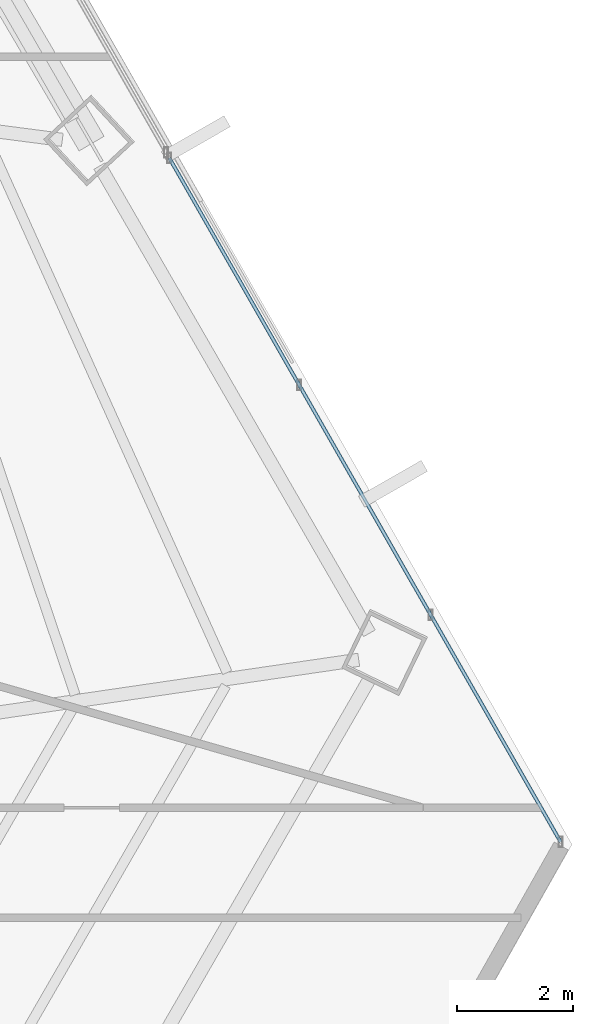
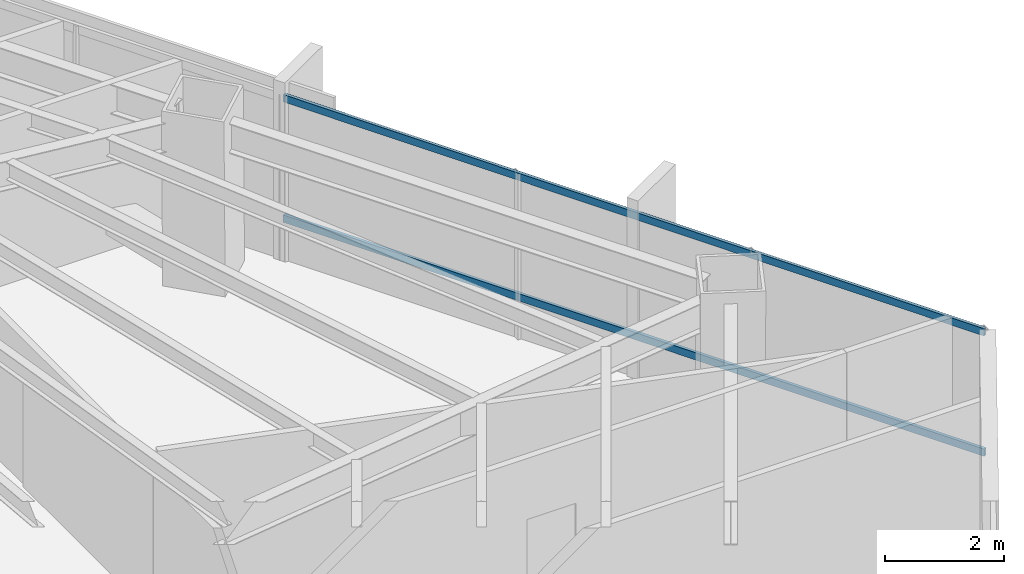
# One storey, part 23 of 36: 2 members, 1 element without a shape of its own.
"""IFC4 building model written with IfcOpenShell, lengths in metres."""

from ifc_helpers import new_model, si_unit, direction, frame, origin, origin_2d, place, context, subcontext, project, spatial, hollow_rectangle, extrude, source, transform, mapped, material, material_profile, profile_set, type_object, type_shapes, element, aggregate, save


model = new_model("IFC4")

# Units and contexts
model_context = context("Model", 3, precision=1e-05, world=origin(), true_north=direction((0.0, 1.0)))
body_context = subcontext(model_context, "Body", "Model", "MODEL_VIEW")
ifc_project = project(units=[si_unit("LENGTHUNIT", "METRE"), si_unit("AREAUNIT", "SQUARE_METRE"), si_unit("VOLUMEUNIT", "CUBIC_METRE"), si_unit("PLANEANGLEUNIT", "RADIAN"), si_unit("MASSUNIT", "GRAM", prefix="KILO")], contexts=[model_context])

# Site, building, storey
site_placement = place(None, origin())
site = spatial("IfcSite", under=ifc_project, at=site_placement, CompositionType="ELEMENT")
building_placement = place(site_placement, origin())
building = spatial("IfcBuilding", under=site, at=building_placement, Name="Caelisora Broadcast Tower", CompositionType="ELEMENT")
storey_placement = place(building_placement, frame((0.0, 0.0, 79.85009765625)))
storey = spatial("IfcBuildingStorey", under=building, at=storey_placement, Name="L20", CompositionType="ELEMENT", Elevation=79.85009765625)

# Curtain wall, members
ifc_material_1 = material(Name="Unitised Aluminium and Low-E Glass Curtain Wall", Category="glass")
curtain_wall_type = type_object("IfcCurtainWallType", Name="CW-Z2", PredefinedType="NOTDEFINED", material=ifc_material_1)
curtain_wall_placement = place(storey_placement, origin())
curtain_wall = element("IfcCurtainWall", 1, at=curtain_wall_placement, inside=storey, type_object=curtain_wall_type, Name="L20 curtain wall CW-Z2", PredefinedType="NOTDEFINED")
ifc_material_2 = material(Name="Aluminium 6063-T6 Anodised Terracotta Bronze", Category="aluminium")
ifc_material_profile = material_profile(ifc_material_2, hollow_rectangle(XDim=0.06005859375, YDim=0.14990234375, WallThickness=0.00341796875, at=origin_2d()), Name="Aluminium 6063-T6 Anodised Terracotta Bronze")
ifc_profile_set = profile_set([ifc_material_profile], Name="Aluminium 6063-T6 Anodised Terracotta Bronze")
member_type = type_object("IfcMemberType", Name="CWT-02", PredefinedType="USERDEFINED", material=ifc_profile_set)
shared_shape = source(origin(), body_context, "Body", "SweptSolid", [
    extrude(hollow_rectangle(XDim=0.06005859375, YDim=0.14990234375, WallThickness=0.00341796875, at=origin_2d()), origin(), (0.0, 0.0, 1.0), 13.63720703125),
])
type_shapes(member_type, [shared_shape])
member_1_placement = place(storey_placement, frame((57.668212890625, 28.34521484375, 0.849853515625), z_axis=(0.496582307271, -0.867989638248, 0.0), x_axis=(0.867989638248, 0.496582307271, 0.0)))
member_1 = element("IfcMember", 2, at=member_1_placement, type_object=member_type, Name="L20-CW-B03 transom #1", ObjectType="TRANSOM", PredefinedType="USERDEFINED", context=body_context, shape_type="MappedRepresentation", body=[
    mapped(shared_shape, transform((0.0, 0.0, 0.0), scale=1.0)),
])
member_2_placement = place(storey_placement, frame((57.668212890625, 28.34521484375, 3.31982421875), z_axis=(0.496582307271, -0.867989638248, 0.0), x_axis=(0.867989638248, 0.496582307271, 0.0)))
member_2 = element("IfcMember", 3, at=member_2_placement, type_object=member_type, Name="L20-CW-B03 transom #2", ObjectType="TRANSOM", PredefinedType="USERDEFINED", context=body_context, shape_type="MappedRepresentation", body=[
    mapped(shared_shape, transform((0.0, 0.0, 0.0), scale=1.0)),
])
aggregate(curtain_wall, [member_1, member_2])

save(model, "model.ifc")
